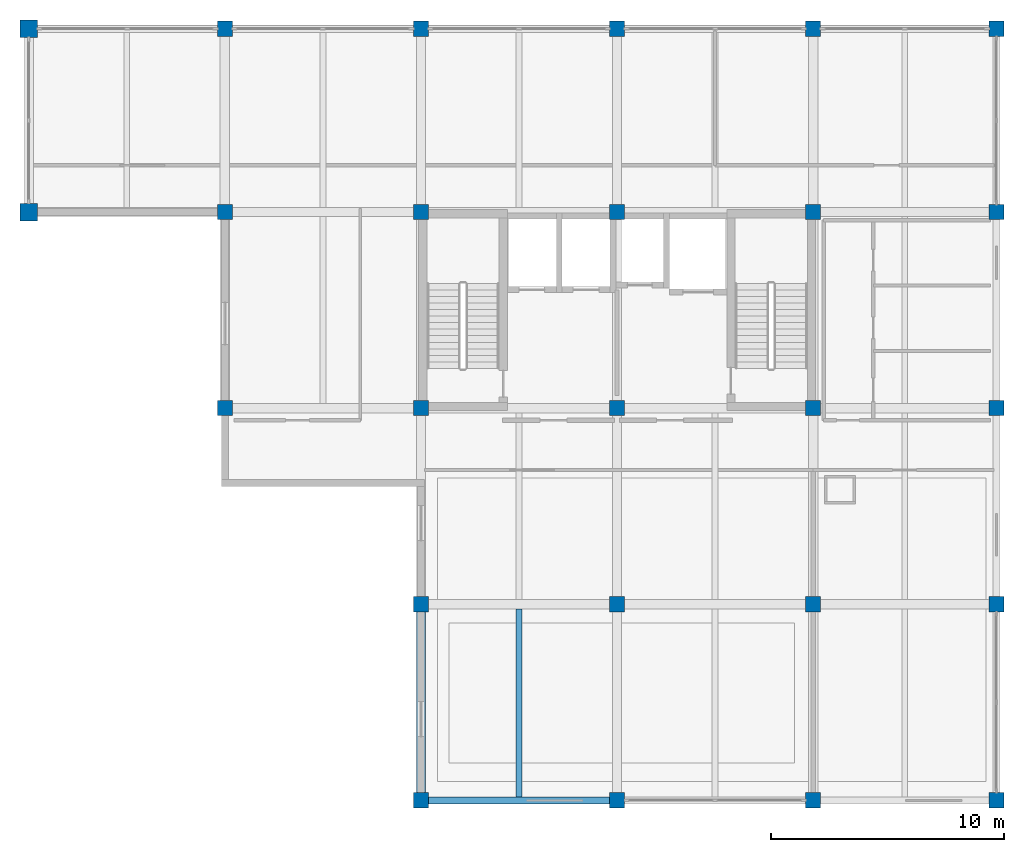
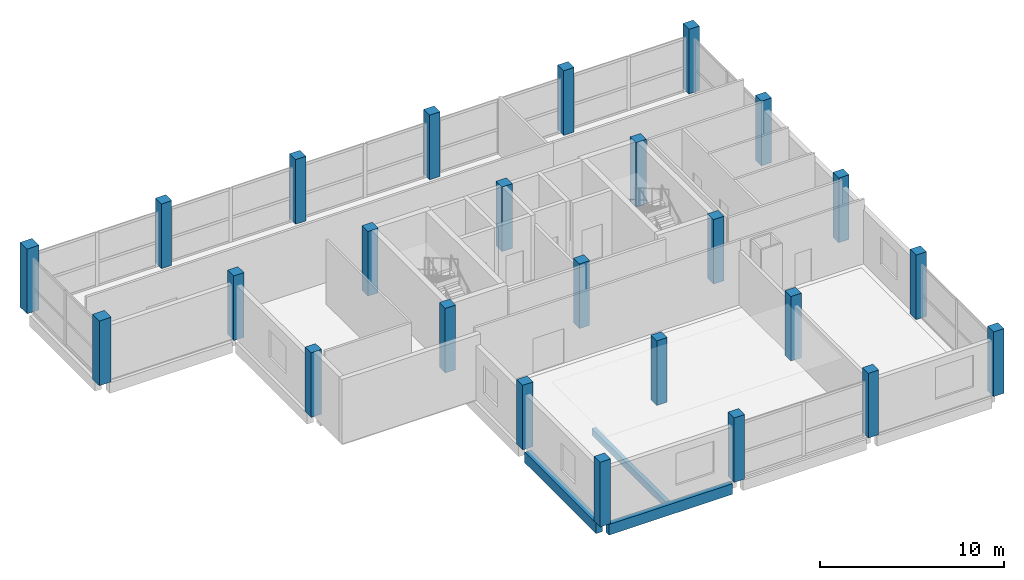
# One storey, part 1 of 9: 25 columns, 3 beams.
"""IFC4 building model written with IfcOpenShell, lengths in metres."""

from ifc_helpers import new_model, si_unit, direction, frame, origin, origin_2d, place, context, subcontext, project, spatial, rectangle, extrude, material, material_profile, profile_set, type_object, element, save


model = new_model("IFC4")

# Units and contexts
model_context = context("Model", 3, precision=1e-05, world=origin(), true_north=direction((0.0, 1.0)))
body_context = subcontext(model_context, "Body", "Model", "MODEL_VIEW")
ifc_project = project(units=[si_unit("LENGTHUNIT", "METRE"), si_unit("AREAUNIT", "SQUARE_METRE"), si_unit("VOLUMEUNIT", "CUBIC_METRE"), si_unit("PLANEANGLEUNIT", "RADIAN"), si_unit("MASSUNIT", "GRAM", prefix="KILO")], contexts=[model_context])

# Site, building, storey
site_placement = place(None, origin())
site = spatial("IfcSite", under=ifc_project, at=site_placement, CompositionType="ELEMENT")
building_placement = place(site_placement, origin())
building = spatial("IfcBuilding", under=site, at=building_placement, Name="Brinegate Botanical Conservatory", CompositionType="ELEMENT")
storey_placement = place(building_placement, frame((0.0, 0.0, 61.199951171875)))
storey = spatial("IfcBuildingStorey", under=building, at=storey_placement, Name="L15", CompositionType="ELEMENT", Elevation=61.199951171875)

# Columns
ifc_material = material(Name="Concrete C40/50", Category="concrete")
ifc_material_profile_1 = material_profile(ifc_material, rectangle(XDim=0.75, YDim=0.75, at=origin_2d()), Name="RC COL 750x750")
ifc_profile_set_1 = profile_set([ifc_material_profile_1], Name="Concrete C40/50")
column_type_1 = type_object("IfcColumnType", Name="Col_C-T4", PredefinedType="COLUMN", material=ifc_profile_set_1)
for number, where, z_axis, x_axis, name in (
    (1, (122.0, 103.60009765625, 0.0), (0.0, 0.0, 1.0), (1.0, 0.0, 0.0), "Column C-T4 L15 N-16"),
    (2, (122.0, 111.449951171875, 0.0), (0.0, 0.0, 1.0), (1.0, 0.0, 0.0), "Column C-T4 L15 P-16"),
):
    element("IfcColumn", number, at=place(storey_placement, frame(where, z_axis=z_axis, x_axis=x_axis)), inside=storey, type_object=column_type_1, Name=name, PredefinedType="COLUMN", context=body_context, shape_type="SweptSolid", body=[
        extrude(rectangle(XDim=0.75, YDim=0.75, at=origin_2d()), origin(), (0.0, 0.0, 1.0), 4.280029296875),
    ])
ifc_material_profile_2 = material_profile(ifc_material, rectangle(XDim=0.64990234375, YDim=0.64990234375, at=origin_2d()), Name="RC COL 650x650")
ifc_profile_set_2 = profile_set([ifc_material_profile_2], Name="Concrete C40/50")
column_type_2 = type_object("IfcColumnType", Name="Col_C-T5", PredefinedType="COLUMN", material=ifc_profile_set_2)
for number, where, z_axis, x_axis, name in (
    (3, (130.39990234375, 95.199951171875, 0.0), (0.0, 0.0, 1.0), (1.0, 0.0, 0.0), "Column C-T5 L15 M-17"),
    (4, (130.39990234375, 103.60009765625, 0.0), (0.0, 0.0, 1.0), (1.0, 0.0, 0.0), "Column C-T5 L15 N-17"),
    (5, (130.39990234375, 111.449951171875, 0.0), (0.0, 0.0, 1.0), (1.0, 0.0, 0.0), "Column C-T5 L15 P-17"),
    (6, (138.800048828125, 78.39990234375, 0.0), (0.0, 0.0, 1.0), (1.0, 0.0, 0.0), "Column C-T5 L15 K-18"),
    (7, (138.800048828125, 86.800048828125, 0.0), (0.0, 0.0, 1.0), (1.0, 0.0, 0.0), "Column C-T5 L15 L-18"),
    (8, (138.800048828125, 95.199951171875, 0.0), (0.0, 0.0, 1.0), (1.0, 0.0, 0.0), "Column C-T5 L15 M-18"),
    (9, (138.800048828125, 103.60009765625, 0.0), (0.0, 0.0, 1.0), (1.0, 0.0, 0.0), "Column C-T5 L15 N-18"),
    (10, (138.800048828125, 111.449951171875, 0.0), (0.0, 0.0, 1.0), (1.0, 0.0, 0.0), "Column C-T5 L15 P-18"),
    (11, (147.199951171875, 78.39990234375, 0.0), (0.0, 0.0, 1.0), (1.0, 0.0, 0.0), "Column C-T5 L15 K-19"),
    (12, (147.199951171875, 86.800048828125, 0.0), (0.0, 0.0, 1.0), (1.0, 0.0, 0.0), "Column C-T5 L15 L-19"),
    (13, (147.199951171875, 95.199951171875, 0.0), (0.0, 0.0, 1.0), (1.0, 0.0, 0.0), "Column C-T5 L15 M-19"),
    (14, (147.199951171875, 103.60009765625, 0.0), (0.0, 0.0, 1.0), (1.0, 0.0, 0.0), "Column C-T5 L15 N-19"),
    (15, (147.199951171875, 111.449951171875, 0.0), (0.0, 0.0, 1.0), (1.0, 0.0, 0.0), "Column C-T5 L15 P-19"),
    (16, (155.60009765625, 78.39990234375, 0.0), (0.0, 0.0, 1.0), (1.0, 0.0, 0.0), "Column C-T5 L15 K-20"),
    (17, (155.60009765625, 86.800048828125, 0.0), (0.0, 0.0, 1.0), (1.0, 0.0, 0.0), "Column C-T5 L15 L-20"),
    (18, (155.60009765625, 95.199951171875, 0.0), (0.0, 0.0, 1.0), (1.0, 0.0, 0.0), "Column C-T5 L15 M-20"),
    (19, (155.60009765625, 103.60009765625, 0.0), (0.0, 0.0, 1.0), (1.0, 0.0, 0.0), "Column C-T5 L15 N-20"),
    (20, (155.60009765625, 111.449951171875, 0.0), (0.0, 0.0, 1.0), (1.0, 0.0, 0.0), "Column C-T5 L15 P-20"),
    (21, (163.449951171875, 78.39990234375, 0.0), (0.0, 0.0, 1.0), (1.0, 0.0, 0.0), "Column C-T5 L15 K-21"),
    (22, (163.449951171875, 86.800048828125, 0.0), (0.0, 0.0, 1.0), (1.0, 0.0, 0.0), "Column C-T5 L15 L-21"),
    (23, (163.449951171875, 95.199951171875, 0.0), (0.0, 0.0, 1.0), (1.0, 0.0, 0.0), "Column C-T5 L15 M-21"),
    (24, (163.449951171875, 103.60009765625, 0.0), (0.0, 0.0, 1.0), (1.0, 0.0, 0.0), "Column C-T5 L15 N-21"),
    (25, (163.449951171875, 111.449951171875, 0.0), (0.0, 0.0, 1.0), (1.0, 0.0, 0.0), "Column C-T5 L15 P-21"),
):
    element("IfcColumn", number, at=place(storey_placement, frame(where, z_axis=z_axis, x_axis=x_axis)), inside=storey, type_object=column_type_2, Name=name, PredefinedType="COLUMN", context=body_context, shape_type="SweptSolid", body=[
        extrude(rectangle(XDim=0.64990234375, YDim=0.64990234375, at=origin_2d()), origin(), (0.0, 0.0, 1.0), 4.280029296875),
    ])

# Beams
ifc_material_profile_3 = material_profile(ifc_material, rectangle(XDim=0.39990234375, YDim=0.699951171875, at=origin_2d()), Name="RC BM 400x700")
ifc_profile_set_3 = profile_set([ifc_material_profile_3], Name="Concrete C40/50")
beam_type_1 = type_object("IfcBeamType", Name="Beam_BM-T2", PredefinedType="BEAM", material=ifc_profile_set_3)
beam_1_placement = place(storey_placement, frame((138.800048828125, 78.72509765625, -0.530029296875), z_axis=(0.0, 1.0, 0.0), x_axis=(-1.0, 0.0, 0.0)))
element("IfcBeam", 26, at=beam_1_placement, inside=storey, type_object=beam_type_1, Name="Beam BM-T2 L15 18:K-L", PredefinedType="BEAM", context=body_context, shape_type="SweptSolid", body=[
    extrude(rectangle(XDim=0.39990234375, YDim=0.699951171875, at=origin_2d()), origin(), (0.0, 0.0, 1.0), 7.75),
])
ifc_material_profile_4 = material_profile(ifc_material, rectangle(XDim=0.25, YDim=0.449951171875, at=origin_2d()), Name="RC JST 250x450")
ifc_profile_set_4 = profile_set([ifc_material_profile_4], Name="Concrete C40/50")
beam_type_2 = type_object("IfcBeamType", Name="Beam_JS-C3", PredefinedType="JOIST", material=ifc_profile_set_4)
beam_2_placement = place(storey_placement, frame((143.0, 78.550048828125, -0.405029296875), z_axis=(0.0, 1.0, 0.0), x_axis=(-1.0, 0.0, 0.0)))
element("IfcBeam", 27, at=beam_2_placement, inside=storey, type_object=beam_type_2, Name="Floor joist JS-C3 L15 bay 18.10", PredefinedType="JOIST", context=body_context, shape_type="SweptSolid", body=[
    extrude(rectangle(XDim=0.25, YDim=0.449951171875, at=origin_2d()), origin(), (0.0, 0.0, 1.0), 8.050048828125),
])
ifc_material_profile_5 = material_profile(ifc_material, rectangle(XDim=0.300048828125, YDim=0.699951171875, at=origin_2d()), Name="RC SPN 300x700")
ifc_profile_set_5 = profile_set([ifc_material_profile_5], Name="Concrete C40/50")
beam_type_3 = type_object("IfcBeamType", Name="Beam_SP-02", PredefinedType="SPANDREL", material=ifc_profile_set_5)
beam_3_placement = place(storey_placement, frame((139.125, 78.39990234375, -0.530029296875), z_axis=(1.0, 0.0, 0.0), x_axis=(0.0, 1.0, 0.0)))
element("IfcBeam", 28, at=beam_3_placement, inside=storey, type_object=beam_type_3, Name="Beam SP-02 L15 K:18-19", PredefinedType="SPANDREL", context=body_context, shape_type="SweptSolid", body=[
    extrude(rectangle(XDim=0.300048828125, YDim=0.699951171875, at=origin_2d()), origin(), (0.0, 0.0, 1.0), 7.75),
])

save(model, "model.ifc")
